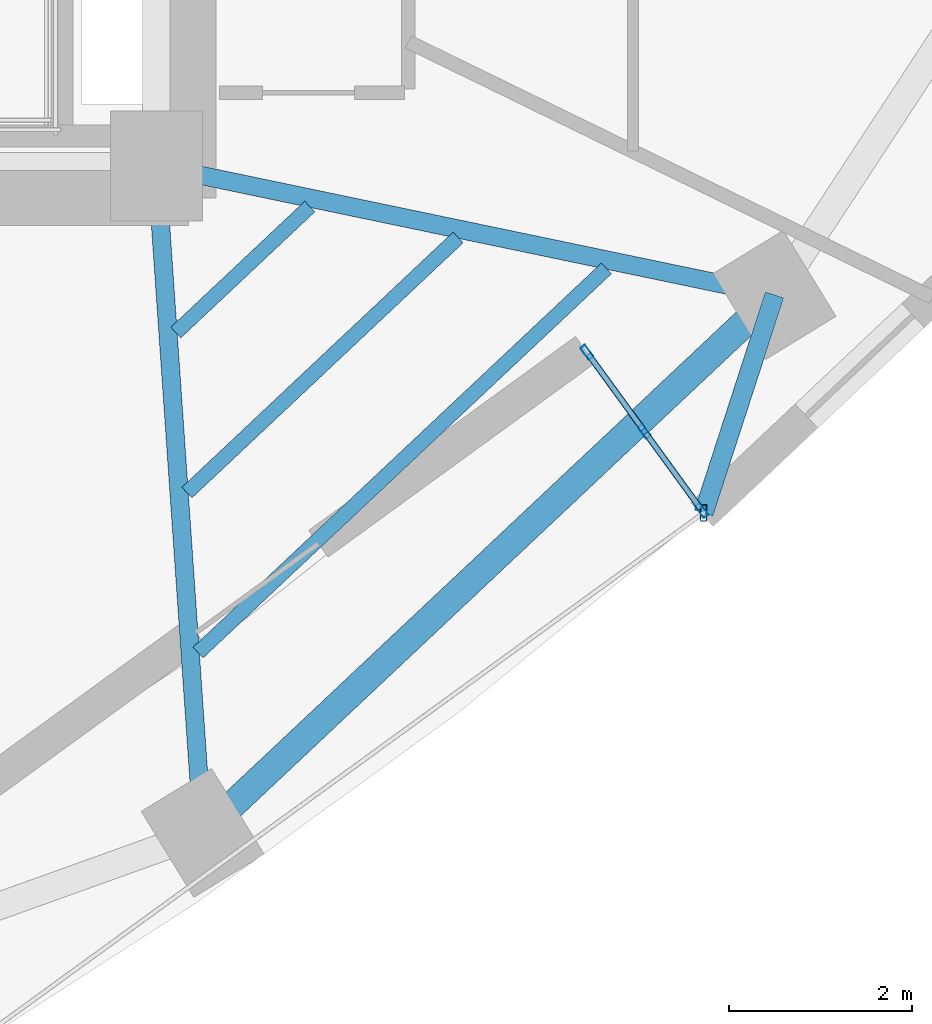
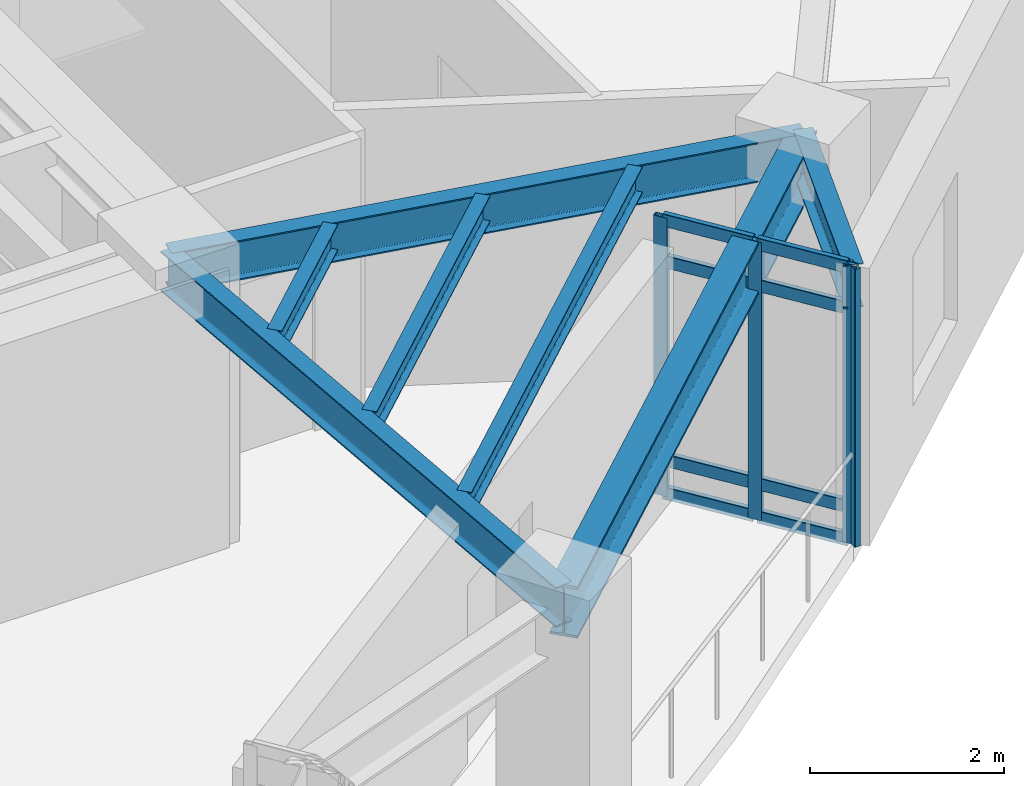
# One storey, part 3 of 12: 12 members, 7 beams, 1 element without a shape of its own.
"""IFC4 building model written with IfcOpenShell, lengths in metres."""

from ifc_helpers import new_model, si_unit, direction, frame, origin, origin_2d, place, context, subcontext, project, spatial, hollow_rectangle, i_section, extrude, material, layer, layer_set, material_profile, profile_set, type_object, element, aggregate, save


model = new_model("IFC4")

# Units and contexts
model_context = context("Model", 3, precision=1e-05, world=origin(), true_north=direction((0.0, 1.0)))
body_context = subcontext(model_context, "Body", "Model", "MODEL_VIEW")
ifc_project = project(units=[si_unit("LENGTHUNIT", "METRE"), si_unit("AREAUNIT", "SQUARE_METRE"), si_unit("VOLUMEUNIT", "CUBIC_METRE"), si_unit("PLANEANGLEUNIT", "RADIAN"), si_unit("MASSUNIT", "GRAM", prefix="KILO")], contexts=[model_context])

# Site, building, storey
site_placement = place(None, origin())
site = spatial("IfcSite", under=ifc_project, at=site_placement, CompositionType="ELEMENT")
building_placement = place(site_placement, origin())
building = spatial("IfcBuilding", under=site, at=building_placement, Name="Ndelora Gate Hotel", CompositionType="ELEMENT")
storey_placement = place(building_placement, frame((0.0, 0.0, 142.25)))
storey = spatial("IfcBuildingStorey", under=building, at=storey_placement, Name="L35", CompositionType="ELEMENT", Elevation=142.25)

# Beams
ifc_material_1 = material(Name="Steel S355", Category="steel")
ifc_material_profile_1 = material_profile(ifc_material_1, i_section(OverallWidth=0.159912109375, OverallDepth=0.330078125, WebThickness=0.007568359375, FlangeThickness=0.011474609375, FilletRadius=0.01806640625, at=origin_2d()), Name="IPE 330")
ifc_profile_set_1 = profile_set([ifc_material_profile_1], Name="Steel S355")
beam_type_1 = type_object("IfcBeamType", Name="BM-JST-330", PredefinedType="JOIST", material=ifc_profile_set_1)
beam_1_placement = place(storey_placement, frame((8.211181640625, -8.4169921875, 3.3349609375), z_axis=(0.728414088998, 0.685137150466, 0.0), x_axis=(-0.685137150466, 0.728414088998, 0.0)))
element("IfcBeam", 1, at=beam_1_placement, inside=storey, type_object=beam_type_1, Name="L35 Secondary Composite Floor Joist IN-7", PredefinedType="JOIST", context=body_context, shape_type="SweptSolid", body=[
    extrude(i_section(OverallWidth=0.159912109375, OverallDepth=0.330078125, WebThickness=0.007568359375, FlangeThickness=0.011474609375, FilletRadius=0.01806640625, at=origin_2d()), origin(), (0.0, 0.0, 1.0), 2.00830078125),
])
beam_2_placement = place(storey_placement, frame((8.33251953125, -10.163818359375, 3.3349609375), z_axis=(0.728369245526, 0.685184823366, 0.0), x_axis=(-0.685184823366, 0.728369245526, 0.0)))
element("IfcBeam", 2, at=beam_2_placement, inside=storey, type_object=beam_type_1, Name="L35 Secondary Composite Floor Joist MID-7", PredefinedType="JOIST", context=body_context, shape_type="SweptSolid", body=[
    extrude(i_section(OverallWidth=0.159912109375, OverallDepth=0.330078125, WebThickness=0.007568359375, FlangeThickness=0.011474609375, FilletRadius=0.01806640625, at=origin_2d()), origin(), (0.0, 0.0, 1.0), 4.06494140625),
])
beam_3_placement = place(storey_placement, frame((8.45361328125, -11.910400390625, 3.3349609375), z_axis=(0.728393161111, 0.68515939959, 0.0), x_axis=(-0.68515939959, 0.728393161111, 0.0)))
element("IfcBeam", 3, at=beam_3_placement, inside=storey, type_object=beam_type_1, Name="L35 Secondary Composite Floor Joist OUT-7", PredefinedType="JOIST", context=body_context, shape_type="SweptSolid", body=[
    extrude(i_section(OverallWidth=0.159912109375, OverallDepth=0.330078125, WebThickness=0.007568359375, FlangeThickness=0.011474609375, FilletRadius=0.01806640625, at=origin_2d()), origin(), (0.0, 0.0, 1.0), 6.121337890625),
])
ifc_material_profile_2 = material_profile(ifc_material_1, i_section(OverallWidth=0.199951171875, OverallDepth=0.5, WebThickness=0.01025390625, FlangeThickness=0.01611328125, FilletRadius=0.02099609375, at=origin_2d()), Name="IPE 500")
ifc_profile_set_2 = profile_set([ifc_material_profile_2], Name="Steel S355")
beam_type_2 = type_object("IfcBeamType", Name="BM-RAD-500", PredefinedType="BEAM", material=ifc_profile_set_2)
beam_4_placement = place(storey_placement, frame((8.0, -6.60009765625, 3.25), z_axis=(0.069137444551, -0.997607144001, 0.0), x_axis=(0.997607144001, 0.069137444551, 0.0)))
element("IfcBeam", 4, at=beam_4_placement, inside=storey, type_object=beam_type_2, Name="L35 Radial Floor Girder 7", PredefinedType="BEAM", context=body_context, shape_type="SweptSolid", body=[
    extrude(i_section(OverallWidth=0.199951171875, OverallDepth=0.5, WebThickness=0.01025390625, FlangeThickness=0.01611328125, FilletRadius=0.02099609375, at=origin_2d()), origin(), (0.0, 0.0, 1.0), 7.295654296875),
])
beam_5_placement = place(storey_placement, frame((8.0, -6.60009765625, 3.25), z_axis=(0.978952706778, -0.204087231083, 0.0), x_axis=(0.204087231083, 0.978952706778, 0.0)))
element("IfcBeam", 5, at=beam_5_placement, inside=storey, type_object=beam_type_2, Name="L35 Radial Floor Girder 8", PredefinedType="BEAM", context=body_context, shape_type="SweptSolid", body=[
    extrude(i_section(OverallWidth=0.199951171875, OverallDepth=0.5, WebThickness=0.01025390625, FlangeThickness=0.01611328125, FilletRadius=0.02099609375, at=origin_2d()), origin(), (0.0, 0.0, 1.0), 6.8916015625),
])
ifc_material_profile_3 = material_profile(ifc_material_1, i_section(OverallWidth=0.2099609375, OverallDepth=0.550048828125, WebThickness=0.010986328125, FlangeThickness=0.01708984375, FilletRadius=0.02392578125, at=origin_2d()), Name="IPE 550")
ifc_profile_set_3 = profile_set([ifc_material_profile_3], Name="Steel S355")
beam_type_3 = type_object("IfcBeamType", Name="BM-RAD-550", PredefinedType="BEAM", material=ifc_profile_set_3)
beam_6_placement = place(storey_placement, frame((14.74658203125, -8.006591796875, 3.22509765625), z_axis=(-0.309075038697, -0.951037654594, 0.0), x_axis=(0.951037654594, -0.309075038697, 0.0)))
element("IfcBeam", 6, at=beam_6_placement, inside=storey, type_object=beam_type_3, Name="L35 Sky-Garden Loggia Column Bracket 3", PredefinedType="BEAM", context=body_context, shape_type="SweptSolid", body=[
    extrude(i_section(OverallWidth=0.2099609375, OverallDepth=0.550048828125, WebThickness=0.010986328125, FlangeThickness=0.01708984375, FilletRadius=0.02392578125, at=origin_2d()), origin(), (0.0, 0.0, 1.0), 2.501708984375),
])
ifc_material_profile_4 = material_profile(ifc_material_1, i_section(OverallWidth=0.300048828125, OverallDepth=0.64990234375, WebThickness=0.01611328125, FlangeThickness=0.031005859375, FilletRadius=0.027099609375, at=origin_2d()), Name="HEB 650")
ifc_profile_set_4 = profile_set([ifc_material_profile_4], Name="Steel S355")
beam_type_4 = type_object("IfcBeamType", Name="BM-RING-650", PredefinedType="SPANDREL", material=ifc_profile_set_4)
beam_7_placement = place(storey_placement, frame((8.50439453125, -13.878173828125, 3.175048828125), z_axis=(0.728399016952, 0.68515317419, 0.0), x_axis=(-0.68515317419, 0.728399016952, 0.0)))
element("IfcBeam", 7, at=beam_7_placement, inside=storey, type_object=beam_type_4, Name="L35 Perimeter Spandrel Girder 7", PredefinedType="SPANDREL", context=body_context, shape_type="SweptSolid", body=[
    extrude(i_section(OverallWidth=0.300048828125, OverallDepth=0.64990234375, WebThickness=0.01611328125, FlangeThickness=0.031005859375, FilletRadius=0.027099609375, at=origin_2d()), origin(), (0.0, 0.0, 1.0), 8.56982421875),
])

# Curtain wall, members
ifc_material_2 = material(Name="Bronze Anodised Unitised Aluminium and Low-E Glass", Category="aluminium")
ifc_layer = layer(ifc_material_2, 0.199951171875)
ifc_layer_set = layer_set([ifc_layer], Name="Bronze Anodised Unitised Aluminium and Low-E Glass")
curtain_wall_type = type_object("IfcCurtainWallType", Name="CW-SYS-3", PredefinedType="NOTDEFINED", material=ifc_layer_set)
curtain_wall_placement = place(storey_placement, origin())
curtain_wall = element("IfcCurtainWall", 8, at=curtain_wall_placement, inside=storey, type_object=curtain_wall_type, Name="L35 Sky-Garden Loggia Side Curtain Wall CW3-2", PredefinedType="NOTDEFINED")
ifc_material_3 = material(Name="Bronze Anodised Aluminium 6063-T6", Category="aluminium")
ifc_material_profile_5 = material_profile(ifc_material_3, hollow_rectangle(XDim=0.06494140625, YDim=0.159912109375, WallThickness=0.00390625, InnerFilletRadius=0.00390625, OuterFilletRadius=0.008056640625, at=origin_2d()), Name="ALU 160x65x4")
ifc_profile_set_5 = profile_set([ifc_material_profile_5], Name="Bronze Anodised Aluminium 6063-T6")
member_type_1 = type_object("IfcMemberType", Name="MB-CW-MUL150", PredefinedType="MULLION", material=ifc_profile_set_5)
member_1_placement = place(storey_placement, frame((13.9541015625, -10.359619140625, -0.00390625), z_axis=(0.0, 0.0, 1.0), x_axis=(-0.809017078969, -0.587785135859, 0.0)))
member_1 = element("IfcMember", 9, at=member_1_placement, type_object=member_type_1, Name="CW3 mullion 1", PredefinedType="MULLION", context=body_context, shape_type="SweptSolid", body=[
    extrude(hollow_rectangle(XDim=0.06494140625, YDim=0.159912109375, WallThickness=0.00390625, InnerFilletRadius=0.00390625, OuterFilletRadius=0.008056640625, at=origin_2d()), origin(), (0.0, 0.0, 1.0), 3.5078125),
])
member_2_placement = place(storey_placement, frame((13.32666015625, -9.495849609375, -0.00390625), z_axis=(0.0, 0.0, 1.0), x_axis=(-0.809017078969, -0.587785135859, 0.0)))
member_2 = element("IfcMember", 10, at=member_2_placement, type_object=member_type_1, Name="CW3 mullion 2", PredefinedType="MULLION", context=body_context, shape_type="SweptSolid", body=[
    extrude(hollow_rectangle(XDim=0.06494140625, YDim=0.159912109375, WallThickness=0.00390625, InnerFilletRadius=0.00390625, OuterFilletRadius=0.008056640625, at=origin_2d()), origin(), (0.0, 0.0, 1.0), 3.5078125),
])
member_3_placement = place(storey_placement, frame((12.69921875, -8.63232421875, -0.00390625), z_axis=(0.0, 0.0, 1.0), x_axis=(-0.809017078969, -0.587785135859, 0.0)))
member_3 = element("IfcMember", 11, at=member_3_placement, type_object=member_type_1, Name="CW3 mullion 3", PredefinedType="MULLION", context=body_context, shape_type="SweptSolid", body=[
    extrude(hollow_rectangle(XDim=0.06494140625, YDim=0.159912109375, WallThickness=0.00390625, InnerFilletRadius=0.00390625, OuterFilletRadius=0.008056640625, at=origin_2d()), origin(), (0.0, 0.0, 1.0), 3.5078125),
])
ifc_material_profile_6 = material_profile(ifc_material_3, hollow_rectangle(XDim=0.070068359375, YDim=0.179931640625, WallThickness=0.0048828125, InnerFilletRadius=0.0048828125, OuterFilletRadius=0.010009765625, at=origin_2d()), Name="ALU 180x70x5")
ifc_profile_set_6 = profile_set([ifc_material_profile_6], Name="Bronze Anodised Aluminium 6063-T6")
member_type_2 = type_object("IfcMemberType", Name="MB-CW-MUL180", PredefinedType="MULLION", material=ifc_profile_set_6)
member_4_placement = place(storey_placement, frame((13.973388671875, -10.3857421875, 0.0), z_axis=(0.0, 0.0, 1.0), x_axis=(1.0, 0.0, 0.0)))
member_4 = element("IfcMember", 12, at=member_4_placement, type_object=member_type_2, Name="L35 Sky-Garden Loggia Corner Mullion Post 2", PredefinedType="MULLION", context=body_context, shape_type="SweptSolid", body=[
    extrude(hollow_rectangle(XDim=0.070068359375, YDim=0.179931640625, WallThickness=0.0048828125, InnerFilletRadius=0.0048828125, OuterFilletRadius=0.010009765625, at=origin_2d()), origin(), (0.0, 0.0, 1.0), 3.5),
])
ifc_material_profile_7 = material_profile(ifc_material_3, hollow_rectangle(XDim=0.06494140625, YDim=0.159912109375, WallThickness=0.00390625, InnerFilletRadius=0.00390625, OuterFilletRadius=0.008056640625, at=origin_2d()), Name="ALU 160x65x4")
ifc_profile_set_7 = profile_set([ifc_material_profile_7], Name="Bronze Anodised Aluminium 6063-T6")
member_type_3 = type_object("IfcMemberType", Name="MB-CW-TRN150", PredefinedType="USERDEFINED", material=ifc_profile_set_7)
member_5_placement = place(storey_placement, frame((13.938720703125, -10.338134765625, 0.032470703125), z_axis=(-0.587842580444, 0.808975339931, 0.0), x_axis=(-0.808975339931, -0.587842580444, 0.0)))
member_5 = element("IfcMember", 13, at=member_5_placement, type_object=member_type_3, Name="CW3 transom 1.1", ObjectType="TRANSOM", PredefinedType="USERDEFINED", context=body_context, shape_type="SweptSolid", body=[
    extrude(hollow_rectangle(XDim=0.06494140625, YDim=0.159912109375, WallThickness=0.00390625, InnerFilletRadius=0.00390625, OuterFilletRadius=0.008056640625, at=origin_2d()), origin(), (0.0, 0.0, 1.0), 1.0146484375),
])
member_6_placement = place(storey_placement, frame((13.938720703125, -10.338134765625, 0.449951171875), z_axis=(-0.587842580444, 0.808975339931, 0.0), x_axis=(-0.808975339931, -0.587842580444, 0.0)))
member_6 = element("IfcMember", 14, at=member_6_placement, type_object=member_type_3, Name="CW3 transom 1.2", ObjectType="TRANSOM", PredefinedType="USERDEFINED", context=body_context, shape_type="SweptSolid", body=[
    extrude(hollow_rectangle(XDim=0.06494140625, YDim=0.159912109375, WallThickness=0.00390625, InnerFilletRadius=0.00390625, OuterFilletRadius=0.008056640625, at=origin_2d()), origin(), (0.0, 0.0, 1.0), 1.0146484375),
])
member_7_placement = place(storey_placement, frame((13.938720703125, -10.338134765625, 2.949951171875), z_axis=(-0.587842580444, 0.808975339931, 0.0), x_axis=(-0.808975339931, -0.587842580444, 0.0)))
member_7 = element("IfcMember", 15, at=member_7_placement, type_object=member_type_3, Name="CW3 transom 1.3", ObjectType="TRANSOM", PredefinedType="USERDEFINED", context=body_context, shape_type="SweptSolid", body=[
    extrude(hollow_rectangle(XDim=0.06494140625, YDim=0.159912109375, WallThickness=0.00390625, InnerFilletRadius=0.00390625, OuterFilletRadius=0.008056640625, at=origin_2d()), origin(), (0.0, 0.0, 1.0), 1.0146484375),
])
member_8_placement = place(storey_placement, frame((13.938720703125, -10.338134765625, 3.467529296875), z_axis=(-0.587842580444, 0.808975339931, 0.0), x_axis=(-0.808975339931, -0.587842580444, 0.0)))
member_8 = element("IfcMember", 16, at=member_8_placement, type_object=member_type_3, Name="CW3 transom 1.4", ObjectType="TRANSOM", PredefinedType="USERDEFINED", context=body_context, shape_type="SweptSolid", body=[
    extrude(hollow_rectangle(XDim=0.06494140625, YDim=0.159912109375, WallThickness=0.00390625, InnerFilletRadius=0.00390625, OuterFilletRadius=0.008056640625, at=origin_2d()), origin(), (0.0, 0.0, 1.0), 1.0146484375),
])
member_9_placement = place(storey_placement, frame((13.311279296875, -9.474365234375, 0.032470703125), z_axis=(-0.587957025258, 0.808892166145, 0.0), x_axis=(-0.808892166145, -0.587957025258, 0.0)))
member_9 = element("IfcMember", 17, at=member_9_placement, type_object=member_type_3, Name="CW3 transom 2.1", ObjectType="TRANSOM", PredefinedType="USERDEFINED", context=body_context, shape_type="SweptSolid", body=[
    extrude(hollow_rectangle(XDim=0.06494140625, YDim=0.159912109375, WallThickness=0.00390625, InnerFilletRadius=0.00390625, OuterFilletRadius=0.008056640625, at=origin_2d()), origin(), (0.0, 0.0, 1.0), 1.014404296875),
])
member_10_placement = place(storey_placement, frame((13.311279296875, -9.474365234375, 0.449951171875), z_axis=(-0.587957025258, 0.808892166145, 0.0), x_axis=(-0.808892166145, -0.587957025258, 0.0)))
member_10 = element("IfcMember", 18, at=member_10_placement, type_object=member_type_3, Name="CW3 transom 2.2", ObjectType="TRANSOM", PredefinedType="USERDEFINED", context=body_context, shape_type="SweptSolid", body=[
    extrude(hollow_rectangle(XDim=0.06494140625, YDim=0.159912109375, WallThickness=0.00390625, InnerFilletRadius=0.00390625, OuterFilletRadius=0.008056640625, at=origin_2d()), origin(), (0.0, 0.0, 1.0), 1.014404296875),
])
member_11_placement = place(storey_placement, frame((13.311279296875, -9.474365234375, 2.949951171875), z_axis=(-0.587957025258, 0.808892166145, 0.0), x_axis=(-0.808892166145, -0.587957025258, 0.0)))
member_11 = element("IfcMember", 19, at=member_11_placement, type_object=member_type_3, Name="CW3 transom 2.3", ObjectType="TRANSOM", PredefinedType="USERDEFINED", context=body_context, shape_type="SweptSolid", body=[
    extrude(hollow_rectangle(XDim=0.06494140625, YDim=0.159912109375, WallThickness=0.00390625, InnerFilletRadius=0.00390625, OuterFilletRadius=0.008056640625, at=origin_2d()), origin(), (0.0, 0.0, 1.0), 1.014404296875),
])
member_12_placement = place(storey_placement, frame((13.311279296875, -9.474365234375, 3.467529296875), z_axis=(-0.587957025258, 0.808892166145, 0.0), x_axis=(-0.808892166145, -0.587957025258, 0.0)))
member_12 = element("IfcMember", 20, at=member_12_placement, type_object=member_type_3, Name="CW3 transom 2.4", ObjectType="TRANSOM", PredefinedType="USERDEFINED", context=body_context, shape_type="SweptSolid", body=[
    extrude(hollow_rectangle(XDim=0.06494140625, YDim=0.159912109375, WallThickness=0.00390625, InnerFilletRadius=0.00390625, OuterFilletRadius=0.008056640625, at=origin_2d()), origin(), (0.0, 0.0, 1.0), 1.014404296875),
])
aggregate(curtain_wall, [member_1, member_2, member_3, member_5, member_6, member_7, member_8, member_9, member_10, member_11, member_12, member_4])

save(model, "model.ifc")
